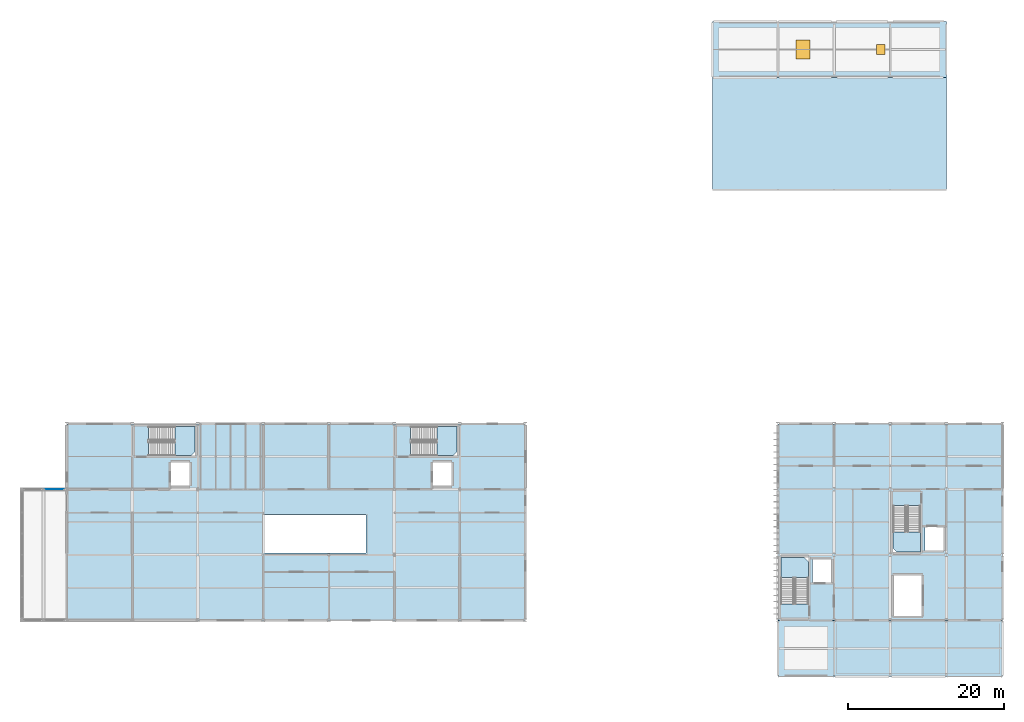
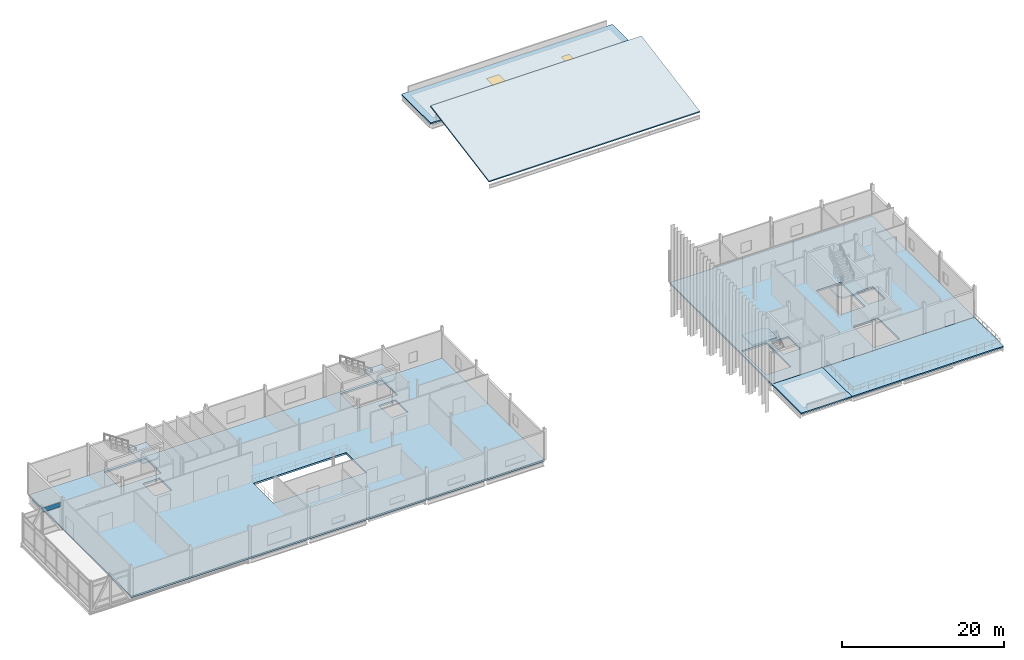
# One storey, part 19 of 45: 10 slabs, 2 windows, 1 plate, 2 openings, 5 elements without a shape of their own.
"""IFC4 building model written with IfcOpenShell, lengths in metres."""

import ifcopenshell
import ifcopenshell.guid

model = None  # the IFC model being written
_history = None  # IfcOwnerHistory: only IFC2X3 demands one
_inside = {}  # id of a spatial element -> (the spatial element, [elements in it])
_under = {}  # id of a project, library or spatial element -> (it, [spatial elements below it])
_declared = {}  # id of a project -> (the project, [libraries it declares])
_typed = {}  # id of a type object -> (the type object, [elements of that type])
_made_of = {}  # id of a material, layer set ... -> (it, [elements and type objects made of it])


def new_model(schema):
    """Start an empty IFC model of exactly this schema.

    Asked for "IFC4X3", IfcOpenShell would pick the latest addendum, in which some entities
    have other attributes; the version numbers below select the first issue.
    IFC2X3 requires an IfcOwnerHistory on every rooted entity: one is made here for all.
    """
    global model, _history
    if schema == "IFC4X3":
        model = ifcopenshell.file(schema_version=(4, 3, 0, 0))
    else:
        model = ifcopenshell.file(schema=schema)
    _inside.clear()
    _under.clear()
    _declared.clear()
    _typed.clear()
    _made_of.clear()
    _history = None
    if model.schema == "IFC2X3":
        org = make("IfcOrganization", Name="unknown")
        user = make(
            "IfcPersonAndOrganization",
            ThePerson=make("IfcPerson", FamilyName="unknown"),
            TheOrganization=org,
        )
        app = make(
            "IfcApplication",
            ApplicationDeveloper=org,
            Version="unknown",
            ApplicationFullName="unknown",
            ApplicationIdentifier="unknown",
        )
        _history = make(
            "IfcOwnerHistory",
            OwningUser=user,
            OwningApplication=app,
            ChangeAction="ADDED",
            CreationDate=0,
        )
    return model


def make(cls, **values):
    """One entity of the class cls with the attributes given. An attribute that is None is left unset."""
    return model.create_entity(
        cls, **{name: value for name, value in values.items() if value is not None}
    )


def rooted(cls, **values):
    """An entity with a GlobalId (a new one), such as an element, a storey or a relation."""
    return make(cls, GlobalId=ifcopenshell.guid.new(), OwnerHistory=_history, **values)


def si_unit(unit_type, name, prefix=None):
    """IfcSIUnit, for example si_unit("LENGTHUNIT", "METRE", prefix="MILLI")."""
    return make("IfcSIUnit", UnitType=unit_type, Prefix=prefix, Name=name)


def assignment(units):
    """IfcUnitAssignment: the units of a project."""
    return None if units is None else make("IfcUnitAssignment", Units=units)


def point(xyz):
    """IfcCartesianPoint."""
    return None if xyz is None else make("IfcCartesianPoint", Coordinates=xyz)


def direction(xyz):
    """IfcDirection."""
    return None if xyz is None else make("IfcDirection", DirectionRatios=xyz)


def frame(location, z_axis=None, x_axis=None):
    """IfcAxis2Placement3D, a coordinate frame: its origin and axes. An axis left out is left unset."""
    return make(
        "IfcAxis2Placement3D",
        Location=point(location),
        Axis=direction(z_axis),
        RefDirection=direction(x_axis),
    )


def frame_2d(location, x_axis=None):
    """IfcAxis2Placement2D, a coordinate frame in the plane: its origin and x axis."""
    return make(
        "IfcAxis2Placement2D", Location=point(location), RefDirection=direction(x_axis)
    )


def origin():
    """The frame at (0, 0, 0) with its axes left unset."""
    return frame((0.0, 0.0, 0.0))


def origin_2d():
    """The frame at (0, 0) in the plane with its x axis left unset."""
    return frame_2d((0.0, 0.0))


def place(relative_to, where):
    """IfcLocalPlacement: puts the frame where relative to a parent placement (None: the world)."""
    return make(
        "IfcLocalPlacement", PlacementRelTo=relative_to, RelativePlacement=where
    )


def context(
    kind, dimensions, precision=None, world=None, true_north=None, identifier=None
):
    """IfcGeometricRepresentationContext, for example the 3D "Model" context."""
    return make(
        "IfcGeometricRepresentationContext",
        ContextIdentifier=identifier,
        ContextType=kind,
        CoordinateSpaceDimension=dimensions,
        Precision=precision,
        WorldCoordinateSystem=world,
        TrueNorth=true_north,
    )


def subcontext(parent, identifier, kind, view, scale=None):
    """IfcGeometricRepresentationSubContext, for example "Body" below "Model"."""
    return make(
        "IfcGeometricRepresentationSubContext",
        ContextIdentifier=identifier,
        ContextType=kind,
        ParentContext=parent,
        TargetScale=scale,
        TargetView=view,
    )


def project(units=None, contexts=None):
    """IfcProject with its units and contexts."""
    return rooted(
        "IfcProject",
        Name="project",
        RepresentationContexts=contexts,
        UnitsInContext=assignment(units),
    )


def spatial(cls, under=None, at=None, **own):
    """A site, building, storey or space (cls), placed at a placement, below another one or the project."""
    s = rooted(cls, ObjectPlacement=at, **own)
    if under is not None:
        _under.setdefault(under.id(), (under, []))[1].append(s)
    return s


def polyline(points):
    """IfcPolyline through the points."""
    return make("IfcPolyline", Points=[point(p) for p in points])


def profile(cls, at=None, kind="AREA", **sizes):
    """A parametric profile (cls). Its sizes go by their IFC names, for example OverallWidth=200.0."""
    return make(cls, ProfileType=kind, Position=at, **sizes)


def rectangle(**sizes):
    """IfcRectangleProfileDef."""
    return profile("IfcRectangleProfileDef", **sizes)


def outline(outer, holes=None, kind="AREA"):
    """IfcArbitraryClosedProfileDef: a profile drawn as a closed curve; with holes, ...WithVoids."""
    if holes is None:
        return make("IfcArbitraryClosedProfileDef", ProfileType=kind, OuterCurve=outer)
    return make(
        "IfcArbitraryProfileDefWithVoids",
        ProfileType=kind,
        OuterCurve=outer,
        InnerCurves=holes,
    )


def extrude(swept, where, along, depth):
    """IfcExtrudedAreaSolid: the profile swept, set in the frame where, extruded along a direction by depth."""
    return make(
        "IfcExtrudedAreaSolid",
        SweptArea=swept,
        Position=where,
        ExtrudedDirection=direction(along),
        Depth=depth,
    )


def shape(context_of_items, identifier, shape_type, items):
    """IfcShapeRepresentation: the items that make up one representation, for example the "Body"."""
    return make(
        "IfcShapeRepresentation",
        ContextOfItems=context_of_items,
        RepresentationIdentifier=identifier,
        RepresentationType=shape_type,
        Items=items,
    )


def material(Name=None, Category=None):
    """IfcMaterial."""
    return make("IfcMaterial", Name=Name, Category=Category)


def layer(
    of_material, thickness, ventilated=None, Name=None, Category=None, Priority=None
):
    """IfcMaterialLayer: one layer of a wall or slab, of a material (None: an air gap)."""
    return make(
        "IfcMaterialLayer",
        Material=of_material,
        LayerThickness=thickness,
        IsVentilated=ventilated,
        Name=Name,
        Category=Category,
        Priority=Priority,
    )


def layer_set(layers, Name=None):
    """IfcMaterialLayerSet."""
    return make("IfcMaterialLayerSet", MaterialLayers=layers, LayerSetName=Name)


def made_of(thing, what):
    """Note that an element or type object is made of a material, layer set ...; save() writes the relation."""
    if what is not None:
        _made_of.setdefault(what.id(), (what, []))[1].append(thing)
    return thing


def type_object(cls, material=None, **own):
    """A type object (cls), such as IfcWallType, which elements share."""
    return made_of(rooted(cls, **own), material)


def element(
    cls,
    number,
    at=None,
    inside=None,
    cuts=None,
    type_object=None,
    material=None,
    context=None,
    identifier="Body",
    shape_type=None,
    held_by="IfcProductDefinitionShape",
    body=None,
    shapes=None,
    **own,
):
    """One element of the class cls, such as IfcWall. Its Tag is "e" and its number.

    at: its placement. inside: the storey or other place that contains it. cuts: it is an
    opening in that element (IfcRelVoidsElement). A single representation is given by context,
    identifier, shape_type and body (its items); several are given by shapes. held_by: the class
    of the entity that holds the representations. save() writes the other relations.
    """
    e = rooted(cls, Tag="e%d" % number, ObjectPlacement=at, **own)
    if body is not None:
        shapes = [shape(context, identifier, shape_type, body)]
    if shapes is not None:
        e.Representation = make(held_by, Representations=shapes)
    if inside is not None:
        _inside.setdefault(inside.id(), (inside, []))[1].append(e)
    if cuts is not None:
        rooted(
            "IfcRelVoidsElement", RelatingBuildingElement=cuts, RelatedOpeningElement=e
        )
    if type_object is not None:
        _typed.setdefault(type_object.id(), (type_object, []))[1].append(e)
    return made_of(e, material)


def fill(opening, filler):
    """IfcRelFillsElement: the door or window that sits in an opening."""
    return rooted(
        "IfcRelFillsElement",
        RelatingOpeningElement=opening,
        RelatedBuildingElement=filler,
    )


def aggregate(whole, parts):
    """IfcRelAggregates: a whole, such as a stair, and the parts it consists of."""
    return rooted("IfcRelAggregates", RelatingObject=whole, RelatedObjects=parts)


def save(model, path):
    """Write the relations noted so far, then the file.

    IfcRelAggregates (storeys below a building ...), IfcRelContainedInSpatialStructure (elements
    in a storey), IfcRelDefinesByType, IfcRelAssociatesMaterial and IfcRelDeclares: one each for
    every whole, place, type object, material and project.
    """
    for whole, parts in _under.values():
        aggregate(whole, parts)
    for where, things in _inside.values():
        rooted(
            "IfcRelContainedInSpatialStructure",
            RelatedElements=things,
            RelatingStructure=where,
        )
    for kind, things in _typed.values():
        rooted("IfcRelDefinesByType", RelatedObjects=things, RelatingType=kind)
    for what, things in _made_of.values():
        rooted("IfcRelAssociatesMaterial", RelatedObjects=things, RelatingMaterial=what)
    for by, libraries in _declared.values():
        rooted("IfcRelDeclares", RelatingContext=by, RelatedDefinitions=libraries)
    model.write(path)


model = new_model("IFC4")

# Units and contexts
model_context = context("Model", 3, precision=1e-05, world=origin(), true_north=direction((0.0, 1.0)))
body_context = subcontext(model_context, "Body", "Model", "MODEL_VIEW")
ifc_project = project(units=[si_unit("LENGTHUNIT", "METRE"), si_unit("AREAUNIT", "SQUARE_METRE"), si_unit("VOLUMEUNIT", "CUBIC_METRE"), si_unit("PLANEANGLEUNIT", "RADIAN"), si_unit("MASSUNIT", "GRAM", prefix="KILO")], contexts=[model_context])

# Site, building, storey
site_placement = place(None, origin())
site = spatial("IfcSite", under=ifc_project, at=site_placement, CompositionType="ELEMENT")
building_placement = place(site_placement, origin())
building = spatial("IfcBuilding", under=site, at=building_placement, Name="Calvrana Isthmian Art Gallery", CompositionType="ELEMENT")
storey_placement = place(building_placement, frame((0.0, 0.0, 19.800048828125)))
storey = spatial("IfcBuildingStorey", under=building, at=storey_placement, Name="L04", CompositionType="ELEMENT", Elevation=19.800048828125)

# Curtain wall, plate
ifc_material_1 = material(Name="Anodized bronze aluminium 6063-T6", Category="aluminium")
ifc_layer_1 = layer(ifc_material_1, 0.179931640625, Name="Anodized bronze aluminium 6063-T6")
ifc_layer_set_1 = layer_set([ifc_layer_1], Name="Anodized bronze aluminium 6063-T6")
curtain_wall_type = type_object("IfcCurtainWallType", Name="CW-UNIT-052X42", PredefinedType="USERDEFINED", material=ifc_layer_set_1)
curtain_wall_placement = place(storey_placement, origin())
curtain_wall = element("IfcCurtainWall", 1, at=curtain_wall_placement, inside=storey, type_object=curtain_wall_type, Name="Curtain wall CW-195", ObjectType="UNITISED CURTAIN WALL", PredefinedType="USERDEFINED")
ifc_material_2 = material(Name="Low-E laminated solar glass", Category="glass")
ifc_layer_2 = layer(ifc_material_2, 0.028076171875, Name="Low-E laminated solar glass")
ifc_layer_set_2 = layer_set([ifc_layer_2], Name="Low-E laminated solar glass")
plate_type = type_object("IfcPlateType", Name="CWP-VISION-28", PredefinedType="CURTAIN_PANEL", material=ifc_layer_set_2)
plate_placement = place(storey_placement, frame((19.969970703125, 38.39990234375, 3.44091796875), z_axis=(0.0, 0.0, 1.0), x_axis=(1.0, 0.0, 0.0)))
plate = element("IfcPlate", 2, at=plate_placement, type_object=plate_type, Name="CW-195 panel 2.3", PredefinedType="CURTAIN_PANEL", context=body_context, shape_type="SweptSolid", body=[
    extrude(rectangle(XDim=2.52001953125, YDim=0.028076171875, at=origin_2d()), origin(), (0.0, 0.0, 1.0), 0.659912109375),
])
aggregate(curtain_wall, [plate])

# Slabs
ifc_material_3 = material(Name="Concrete C40/50", Category="concrete")
ifc_layer_3 = layer(ifc_material_3, 0.260009765625, Name="Concrete C40/50")
ifc_layer_set_3 = layer_set([ifc_layer_3], Name="Concrete C40/50")
slab_type_1 = type_object("IfcSlabType", Name="SLB-GAL-260", PredefinedType="FLOOR", material=ifc_layer_set_3)
slab_1_placement = place(storey_placement, frame((0.0, 0.0, -0.260009765625)))
element("IfcSlab", 3, at=slab_1_placement, inside=storey, type_object=slab_type_1, Name="Floor slab V1_L04", PredefinedType="FLOOR", context=body_context, shape_type="SweptSolid", body=[
    extrude(outline(polyline([(21.60009765625, 21.60009765625), (80.39990234375, 21.60009765625), (80.39990234375, 46.800048828125), (21.60009765625, 46.800048828125), (21.60009765625, 21.60009765625)]), holes=[polyline([(32.10009765625, 42.7099609375), (38.06005859375, 42.7099609375), (38.06005859375, 46.429931640625), (32.10009765625, 46.429931640625), (32.10009765625, 42.7099609375)]), polyline([(34.949951171875, 38.85009765625), (37.35009765625, 38.85009765625), (37.35009765625, 41.85009765625), (34.949951171875, 41.85009765625), (34.949951171875, 38.85009765625)]), polyline([(65.699951171875, 42.7099609375), (71.659912109375, 42.7099609375), (71.659912109375, 46.429931640625), (65.699951171875, 46.429931640625), (65.699951171875, 42.7099609375)]), polyline([(68.550048828125, 38.85009765625), (70.949951171875, 38.85009765625), (70.949951171875, 41.85009765625), (68.550048828125, 41.85009765625), (68.550048828125, 38.85009765625)]), polyline([(46.800048828125, 30.199951171875), (60.0, 30.199951171875), (60.0, 35.10009765625), (46.800048828125, 35.10009765625), (46.800048828125, 30.199951171875)])]), origin(), (0.0, 0.0, 1.0), 0.260009765625),
])
slab_2_placement = place(storey_placement, frame((0.0, 0.0, -0.260009765625)))
element("IfcSlab", 4, at=slab_2_placement, inside=storey, type_object=slab_type_1, Name="Floor slab V4_L04", PredefinedType="FLOOR", context=body_context, shape_type="SweptSolid", body=[
    extrude(outline(polyline([(112.800048828125, 21.60009765625), (141.60009765625, 21.60009765625), (141.60009765625, 46.800048828125), (112.800048828125, 46.800048828125), (112.800048828125, 21.60009765625)]), holes=[polyline([(116.68994140625, 23.699951171875), (116.68994140625, 29.659912109375), (113.169921875, 29.659912109375), (113.169921875, 23.699951171875), (116.68994140625, 23.699951171875)]), polyline([(117.25, 26.449951171875), (119.64990234375, 26.449951171875), (119.64990234375, 29.449951171875), (117.25, 29.449951171875), (117.25, 26.449951171875)]), polyline([(127.550048828125, 36.300048828125), (127.550048828125, 30.340087890625), (131.070068359375, 30.340087890625), (131.070068359375, 36.300048828125), (127.550048828125, 36.300048828125)]), polyline([(131.64990234375, 30.550048828125), (134.050048828125, 30.550048828125), (134.050048828125, 33.550048828125), (131.64990234375, 33.550048828125), (131.64990234375, 30.550048828125)]), polyline([(127.64990234375, 22.14990234375), (131.25, 22.14990234375), (131.25, 27.35009765625), (127.64990234375, 27.35009765625), (127.64990234375, 22.14990234375)])]), origin(), (0.0, 0.0, 1.0), 0.260009765625),
])

# Stair, slab
stair_type_1 = type_object("IfcStairType", Name="STR-HT-480W", PredefinedType="HALF_TURN_STAIR", material=ifc_material_3)
stair_1_placement = place(storey_placement, origin())
stair_1 = element("IfcStair", 5, at=stair_1_placement, inside=storey, type_object=stair_type_1, Name="Protected exit stair ST-1 (L04)", PredefinedType="HALF_TURN_STAIR")
ifc_layer_4 = layer(ifc_material_3, 0.199951171875, Name="Concrete C40/50")
ifc_layer_set_4 = layer_set([ifc_layer_4], Name="Concrete C40/50")
slab_type_2 = type_object("IfcSlabType", Name="SLB-LAND-200", PredefinedType="LANDING", material=ifc_layer_set_4)
slab_3_placement = place(storey_placement, frame((0.0, 0.0, 2.199951171875)))
slab_3 = element("IfcSlab", 6, at=slab_3_placement, type_object=slab_type_2, Name="ST-1 landing 1", PredefinedType="LANDING", context=body_context, shape_type="SweptSolid", body=[
    extrude(outline(polyline([(35.4599609375, 42.7099609375), (37.5400390625, 42.7099609375), (38.06005859375, 43.22998046875), (38.06005859375, 46.429931640625), (35.4599609375, 46.429931640625), (35.4599609375, 42.7099609375)])), origin(), (0.0, 0.0, 1.0), 0.199951171875),
])
aggregate(stair_1, [slab_3])

stair_2_placement = place(storey_placement, origin())
stair_2 = element("IfcStair", 7, at=stair_2_placement, inside=storey, type_object=stair_type_1, Name="Protected exit stair ST-2 (L04)", PredefinedType="HALF_TURN_STAIR")
slab_4_placement = place(storey_placement, frame((0.0, 0.0, 2.199951171875)))
slab_4 = element("IfcSlab", 8, at=slab_4_placement, type_object=slab_type_2, Name="ST-2 landing 1", PredefinedType="LANDING", context=body_context, shape_type="SweptSolid", body=[
    extrude(outline(polyline([(69.06005859375, 42.7099609375), (71.139892578125, 42.7099609375), (71.659912109375, 43.22998046875), (71.659912109375, 46.429931640625), (69.06005859375, 46.429931640625), (69.06005859375, 42.7099609375)])), origin(), (0.0, 0.0, 1.0), 0.199951171875),
])
aggregate(stair_2, [slab_4])

stair_type_2 = type_object("IfcStairType", Name="STR-HT-480", PredefinedType="HALF_TURN_STAIR", material=ifc_material_3)
stair_3_placement = place(storey_placement, origin())
stair_3 = element("IfcStair", 9, at=stair_3_placement, inside=storey, type_object=stair_type_2, Name="Protected exit stair ST-3 (L04)", PredefinedType="HALF_TURN_STAIR")
slab_5_placement = place(storey_placement, frame((0.0, 0.0, 2.199951171875)))
slab_5 = element("IfcSlab", 10, at=slab_5_placement, type_object=slab_type_2, Name="ST-3 landing 1", PredefinedType="LANDING", context=body_context, shape_type="SweptSolid", body=[
    extrude(outline(polyline([(116.68994140625, 27.06005859375), (116.68994140625, 29.139892578125), (116.169921875, 29.659912109375), (113.169921875, 29.659912109375), (113.169921875, 27.06005859375), (116.68994140625, 27.06005859375)])), origin(), (0.0, 0.0, 1.0), 0.199951171875),
])
aggregate(stair_3, [slab_5])

stair_4_placement = place(storey_placement, origin())
stair_4 = element("IfcStair", 11, at=stair_4_placement, inside=storey, type_object=stair_type_2, Name="Protected exit stair ST-4 (L04)", PredefinedType="HALF_TURN_STAIR")
slab_6_placement = place(storey_placement, frame((0.0, 0.0, 2.199951171875)))
slab_6 = element("IfcSlab", 12, at=slab_6_placement, type_object=slab_type_2, Name="ST-4 landing 1", PredefinedType="LANDING", context=body_context, shape_type="SweptSolid", body=[
    extrude(outline(polyline([(127.550048828125, 32.93994140625), (127.550048828125, 30.860107421875), (128.070068359375, 30.340087890625), (131.070068359375, 30.340087890625), (131.070068359375, 32.93994140625), (127.550048828125, 32.93994140625)])), origin(), (0.0, 0.0, 1.0), 0.199951171875),
])
aggregate(stair_4, [slab_6])

# Slab
ifc_layer_5 = layer(ifc_material_3, 0.199951171875, Name="Concrete C40/50")
ifc_layer_set_5 = layer_set([ifc_layer_5], Name="Concrete C40/50")
slab_type_3 = type_object("IfcSlabType", Name="SLB-ROOF-200", PredefinedType="ROOF", material=ifc_layer_set_5)
slab_7_placement = place(storey_placement, frame((0.0, 0.0, -0.199951171875)))
element("IfcSlab", 13, at=slab_7_placement, inside=storey, type_object=slab_type_3, Name="Flat roof slab ROOF_V4SW_L04", PredefinedType="ROOF", context=body_context, shape_type="SweptSolid", body=[
    extrude(outline(polyline([(112.800048828125, 14.39990234375), (120.0, 14.39990234375), (120.0, 21.60009765625), (112.800048828125, 21.60009765625), (112.800048828125, 14.39990234375)])), origin(), (0.0, 0.0, 1.0), 0.199951171875),
])

# Slab, openings, windows
slab_8_placement = place(storey_placement, frame((0.0, 0.0, -0.199951171875)))
slab_8 = element("IfcSlab", 14, at=slab_8_placement, inside=storey, type_object=slab_type_3, Name="Flat roof slab ROOF_V5_L04", PredefinedType="ROOF", context=body_context, shape_type="SweptSolid", body=[
    extrude(outline(polyline([(104.39990234375, 91.199951171875), (134.39990234375, 91.199951171875), (134.39990234375, 98.39990234375), (104.39990234375, 98.39990234375), (104.39990234375, 91.199951171875)])), origin(), (0.0, 0.0, 1.0), 0.199951171875),
])
opening_1_placement = place(slab_8_placement, frame((116.0, 94.800048828125, -0.01025390625)))
opening_1 = element("IfcOpeningElement", 15, at=opening_1_placement, cuts=slab_8, Name="Opening SK-15", PredefinedType="OPENING", context=body_context, shape_type="SweptSolid", body=[
    extrude(rectangle(XDim=1.800048828125, YDim=2.39990234375, at=origin_2d()), origin(), (0.0, 0.0, 1.0), 0.220458984375),
])
opening_2_placement = place(slab_8_placement, frame((126.0, 94.800048828125, -0.01025390625)))
opening_2 = element("IfcOpeningElement", 16, at=opening_2_placement, cuts=slab_8, Name="Opening SK-16", PredefinedType="OPENING", context=body_context, shape_type="SweptSolid", body=[
    extrude(rectangle(XDim=1.10009765625, YDim=1.300048828125, at=origin_2d()), origin(), (0.0, 0.0, 1.0), 0.220458984375),
])
ifc_material_4 = material(Name="Diffusing skylight glass", Category="glass")
window_type_1 = type_object("IfcWindowType", Name="SKY-HATCH-110X130", PartitioningType="SINGLE_PANEL", PredefinedType="SKYLIGHT", material=ifc_material_4)
window_1_placement = place(slab_8_placement, frame((126.0, 94.800048828125, 0.139892578125)))
window_1 = element("IfcWindow", 17, at=window_1_placement, inside=storey, type_object=window_type_1, Name="Roof skylight / access hatch SK-16", OverallHeight=1.300048828125, OverallWidth=1.10009765625, PartitioningType="SINGLE_PANEL", PredefinedType="SKYLIGHT", context=body_context, shape_type="SweptSolid", body=[
    extrude(rectangle(XDim=1.10009765625, YDim=1.300048828125, at=origin_2d()), origin(), (0.0, 0.0, 1.0), 0.06005859375),
])
fill(opening_2, window_1)
window_type_2 = type_object("IfcWindowType", Name="SKY-MON-180X240", PartitioningType="SINGLE_PANEL", PredefinedType="SKYLIGHT", material=ifc_material_4)
window_2_placement = place(slab_8_placement, frame((116.0, 94.800048828125, 0.139892578125)))
window_2 = element("IfcWindow", 18, at=window_2_placement, inside=storey, type_object=window_type_2, Name="Roof skylight / access hatch SK-15", OverallHeight=2.39990234375, OverallWidth=1.800048828125, PartitioningType="SINGLE_PANEL", PredefinedType="SKYLIGHT", context=body_context, shape_type="SweptSolid", body=[
    extrude(rectangle(XDim=1.800048828125, YDim=2.39990234375, at=origin_2d()), origin(), (0.0, 0.0, 1.0), 0.06005859375),
])
fill(opening_1, window_2)

# Slabs
slab_9_placement = place(storey_placement, frame((104.39990234375, 76.800048828125, 0.0), z_axis=(0.0, -0.17767400273, 0.984089400793), x_axis=(1.0, 0.0, 0.0)))
element("IfcSlab", 19, at=slab_9_placement, inside=storey, type_object=slab_type_3, Name="Sloped roof slab SROOF_V5_CLER", PredefinedType="ROOF", context=body_context, shape_type="SweptSolid", body=[
    extrude(outline(polyline([(0.0, 0.0), (30.0, 0.0), (30.0, 14.632717649577074), (0.0, 14.632717649577074), (0.0, 0.0)])), origin(), (0.0, 0.0, -1.0), 0.199951171875),
])
ifc_layer_6 = layer(ifc_material_3, 0.199951171875, Name="Concrete C40/50")
ifc_layer_set_6 = layer_set([ifc_layer_6], Name="Concrete C40/50")
slab_type_4 = type_object("IfcSlabType", Name="SLB-TER-200", PredefinedType="FLOOR", material=ifc_layer_set_6)
slab_10_placement = place(storey_placement, frame((0.0, 0.0, -0.199951171875)))
element("IfcSlab", 20, at=slab_10_placement, inside=storey, type_object=slab_type_4, Name="Outdoor sculpture terrace TER_V4S_L04", PredefinedType="FLOOR", context=body_context, shape_type="SweptSolid", body=[
    extrude(outline(polyline([(120.0, 14.39990234375), (141.60009765625, 14.39990234375), (141.60009765625, 21.60009765625), (120.0, 21.60009765625), (120.0, 14.39990234375)])), origin(), (0.0, 0.0, 1.0), 0.199951171875),
])

save(model, "model.ifc")
